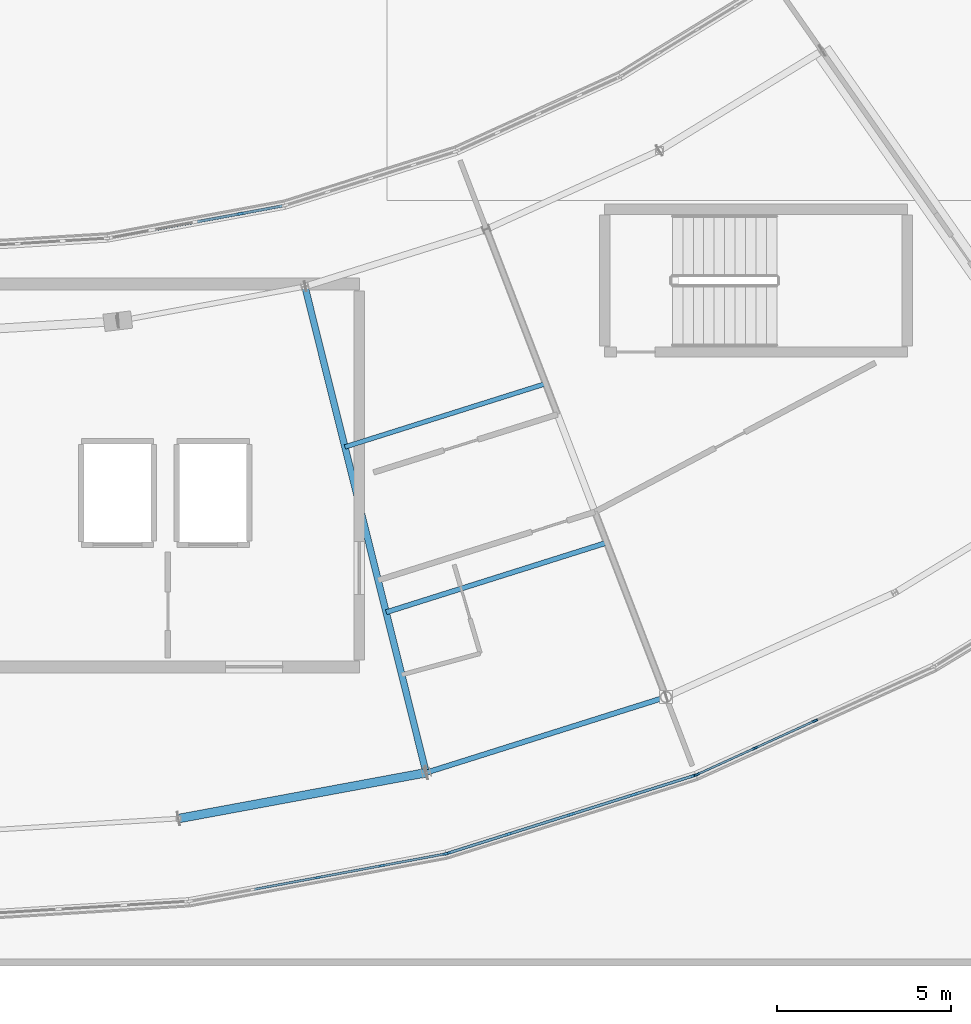
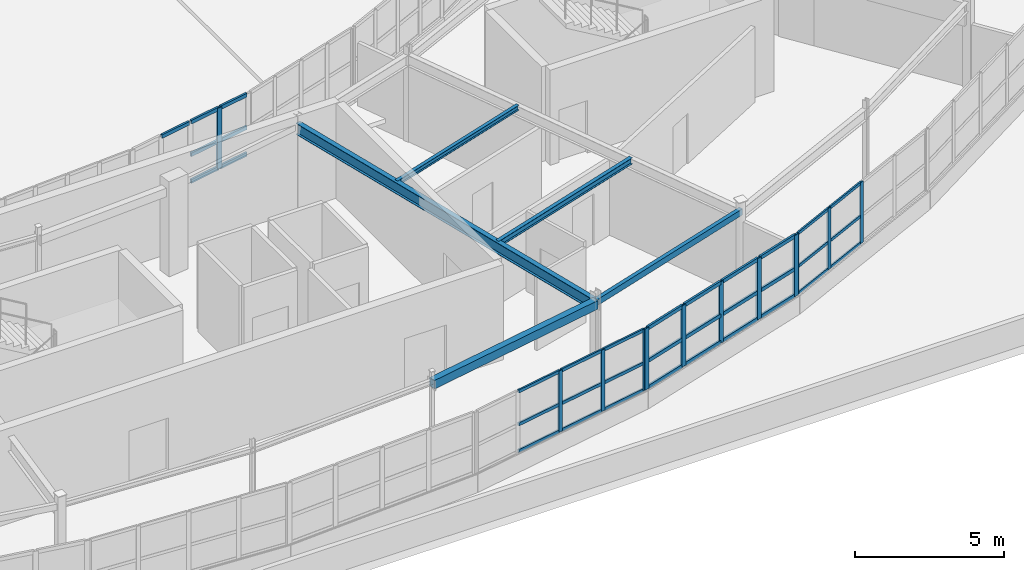
# One storey, part 33 of 128: 46 members, 5 beams, 4 elements without a shape of their own.
"""IFC4 building model written with IfcOpenShell, lengths in metres."""

from ifc_helpers import new_model, si_unit, direction, frame, origin, origin_2d, place, context, subcontext, project, spatial, rectangle, hollow_rectangle, i_section, extrude, material, layer, layer_set, material_profile, profile_set, type_object, element, aggregate, save


model = new_model("IFC4")

# Units and contexts
model_context = context("Model", 3, precision=1e-05, world=origin(), true_north=direction((0.0, 1.0)))
body_context = subcontext(model_context, "Body", "Model", "MODEL_VIEW")
ifc_project = project(units=[si_unit("LENGTHUNIT", "METRE"), si_unit("AREAUNIT", "SQUARE_METRE"), si_unit("VOLUMEUNIT", "CUBIC_METRE"), si_unit("PLANEANGLEUNIT", "RADIAN"), si_unit("MASSUNIT", "GRAM", prefix="KILO")], contexts=[model_context])

# Site, building, storey
site_placement = place(None, origin())
site = spatial("IfcSite", under=ifc_project, at=site_placement, CompositionType="ELEMENT")
building_placement = place(site_placement, origin())
building = spatial("IfcBuilding", under=site, at=building_placement, Name="Tarnwether General Hospital", CompositionType="ELEMENT")
storey_placement = place(building_placement, frame((0.0, 0.0, 14.39990234375)))
storey = spatial("IfcBuildingStorey", under=building, at=storey_placement, Name="L03", CompositionType="ELEMENT", Elevation=14.39990234375)

# Beams
ifc_material_1 = material(Name="Steel Grade 350 (350 MPa)", Category="steel")
ifc_material_profile_1 = material_profile(ifc_material_1, i_section(OverallWidth=0.19091796875, OverallDepth=0.4599609375, WebThickness=0.010009765625, FlangeThickness=0.01611328125, at=origin_2d()), Name="460UB82.1")
ifc_profile_set_1 = profile_set([ifc_material_profile_1], Name="Steel Grade 350 (350 MPa)")
beam_type_1 = type_object("IfcBeamType", Name="BM-G08", PredefinedType="BEAM", material=ifc_profile_set_1)
beam_1_placement = place(storey_placement, frame((106.322021484375, 5.55810546875, 3.330078125), z_axis=(-0.241941215118, 0.970290909175, 0.0), x_axis=(-0.970290909175, -0.241941215118, 0.0)))
element("IfcBeam", 1, at=beam_1_placement, inside=storey, type_object=beam_type_1, Name="Curved Ward SE Radial Girder BMG-L03-10632_556-10284_1953-2102", PredefinedType="BEAM", context=body_context, shape_type="SweptSolid", body=[
    extrude(i_section(OverallWidth=0.19091796875, OverallDepth=0.4599609375, WebThickness=0.010009765625, FlangeThickness=0.01611328125, at=origin_2d()), origin(), (0.0, 0.0, 1.0), 14.400634765625),
])
ifc_material_2 = material(Name="Steel Grade 350 (350 MPa)", Category="steel")
ifc_material_profile_2 = material_profile(ifc_material_2, i_section(OverallWidth=0.14599609375, OverallDepth=0.256103515625, WebThickness=0.00634765625, FlangeThickness=0.010986328125, at=origin_2d()), Name="250UB37.3")
ifc_profile_set_2 = profile_set([ifc_material_profile_2], Name="Steel Grade 350 (350 MPa)")
beam_type_2 = type_object("IfcBeamType", Name="BM-J09", PredefinedType="JOIST", material=ifc_profile_set_2)
beam_2_placement = place(storey_placement, frame((105.172119140625, 10.1689453125, 3.43212890625), z_axis=(0.953671429399, 0.300850136693, 0.0), x_axis=(-0.300850136693, 0.953671429399, 0.0)))
element("IfcBeam", 2, at=beam_2_placement, inside=storey, type_object=beam_type_2, Name="Curved Ward SE Chord Joist BMG-L03-10517_1017-11151_1217-2125", PredefinedType="JOIST", context=body_context, shape_type="SweptSolid", body=[
    extrude(i_section(OverallWidth=0.14599609375, OverallDepth=0.256103515625, WebThickness=0.00634765625, FlangeThickness=0.010986328125, at=origin_2d()), origin(), (0.0, 0.0, 1.0), 6.64794921875),
])
ifc_material_3 = material(Name="Steel Grade 350 (350 MPa)", Category="steel")
ifc_material_profile_3 = material_profile(ifc_material_3, i_section(OverallWidth=0.134033203125, OverallDepth=0.20703125, WebThickness=0.00634765625, FlangeThickness=0.009521484375, at=origin_2d()), Name="200UB29.8")
ifc_profile_set_3 = profile_set([ifc_material_profile_3], Name="Steel Grade 350 (350 MPa)")
beam_type_3 = type_object("IfcBeamType", Name="BM-J12", PredefinedType="JOIST", material=ifc_profile_set_3)
beam_3_placement = place(storey_placement, frame((103.988037109375, 14.919921875, 3.45654296875), z_axis=(0.953725879816, 0.300677478654, 0.0), x_axis=(-0.300677478654, 0.953725879816, 0.0)))
element("IfcBeam", 3, at=beam_3_placement, inside=storey, type_object=beam_type_3, Name="Curved Ward SE Chord Joist BMG-L03-10399_1492-10976_1674-2126", PredefinedType="JOIST", context=body_context, shape_type="SweptSolid", body=[
    extrude(i_section(OverallWidth=0.134033203125, OverallDepth=0.20703125, WebThickness=0.00634765625, FlangeThickness=0.009521484375, at=origin_2d()), origin(), (0.0, 0.0, 1.0), 6.050048828125),
])
ifc_material_4 = material(Name="Steel Grade C350L0 (350 MPa)", Category="steel")
ifc_material_profile_4 = material_profile(ifc_material_4, hollow_rectangle(XDim=0.25, YDim=0.35009765625, WallThickness=0.012451171875, at=origin_2d()), Name="RHS350x250x12.5")
ifc_profile_set_4 = profile_set([ifc_material_profile_4], Name="Steel Grade C350L0 (350 MPa)")
beam_type_4 = type_object("IfcBeamType", Name="BM-SP7", PredefinedType="SPANDREL", material=ifc_profile_set_4)
beam_4_placement = place(storey_placement, frame((99.215087890625, 4.240966796875, 3.385009765625), z_axis=(0.98325623662, 0.182228354399, 0.0), x_axis=(-0.182228354399, 0.98325623662, 0.0)))
element("IfcBeam", 4, at=beam_4_placement, inside=storey, type_object=beam_type_4, Name="Curved Ward SE Outer Spandrel BMG-L03-9922_424-10632_556-2121", PredefinedType="SPANDREL", context=body_context, shape_type="SweptSolid", body=[
    extrude(hollow_rectangle(XDim=0.25, YDim=0.35009765625, WallThickness=0.012451171875, at=origin_2d()), origin(), (0.0, 0.0, 1.0), 7.22802734375),
])
ifc_material_5 = material(Name="Steel Grade C350L0 (350 MPa)", Category="steel")
ifc_material_profile_5 = material_profile(ifc_material_5, hollow_rectangle(XDim=0.14990234375, YDim=0.25, WallThickness=0.008056640625, at=origin_2d()), Name="RHS250x150x8")
ifc_profile_set_5 = profile_set([ifc_material_profile_5], Name="Steel Grade C350L0 (350 MPa)")
beam_type_5 = type_object("IfcBeamType", Name="BM-SP8", PredefinedType="SPANDREL", material=ifc_profile_set_5)
beam_5_placement = place(storey_placement, frame((106.322021484375, 5.55810546875, 3.43505859375), z_axis=(0.953698988948, 0.300762761125, 0.0), x_axis=(-0.300762761125, 0.953698988948, 0.0)))
element("IfcBeam", 5, at=beam_5_placement, inside=storey, type_object=beam_type_5, Name="Curved Ward SE Outer Spandrel BMG-L03-10632_556-11322_773-2123", PredefinedType="SPANDREL", context=body_context, shape_type="SweptSolid", body=[
    extrude(hollow_rectangle(XDim=0.14990234375, YDim=0.25, WallThickness=0.008056640625, at=origin_2d()), origin(), (0.0, 0.0, 1.0), 7.227783203125),
])

# Curtain wall, members
ifc_material_6 = material(Name="Anodised aluminium", Category="aluminium")
ifc_layer_1 = layer(ifc_material_6, 0.179931640625)
ifc_layer_set_1 = layer_set([ifc_layer_1], Name="Anodised aluminium")
curtain_wall_type_1 = type_object("IfcCurtainWallType", Name="CW-08", PredefinedType="NOTDEFINED", material=ifc_layer_set_1)
curtain_wall_1_placement = place(storey_placement, origin())
curtain_wall_1 = element("IfcCurtainWall", 6, at=curtain_wall_1_placement, inside=storey, type_object=curtain_wall_type_1, Name="Curtain Wall CWG-L03-1209_86-0162", PredefinedType="NOTDEFINED")
ifc_material_7 = material(Name="Anodised aluminium", Category="aluminium")
ifc_material_profile_6 = material_profile(ifc_material_7, rectangle(XDim=0.06005859375, YDim=0.159912109375, at=origin_2d()), Name="ALU-MUL-60x160")
ifc_profile_set_6 = profile_set([ifc_material_profile_6], Name="Anodised aluminium")
member_type_1 = type_object("IfcMemberType", Name="CW-ML1", PredefinedType="MULLION", material=ifc_profile_set_6)
member_1_placement = place(storey_placement, frame((117.4970703125, 7.050537109375, 1.050048828125), z_axis=(0.0, 0.0, 1.0), x_axis=(0.414694289316, -0.909960793886, 0.0)))
member_1 = element("IfcMember", 7, at=member_1_placement, type_object=member_type_1, Name="CW-08 mullion 3", PredefinedType="MULLION", context=body_context, shape_type="SweptSolid", body=[
    extrude(rectangle(XDim=0.06005859375, YDim=0.159912109375, at=origin_2d()), origin(), (0.0, 0.0, 1.0), 2.510009765625),
])
member_2_placement = place(storey_placement, frame((115.785888671875, 6.270751953125, 1.050048828125), z_axis=(0.0, 0.0, 1.0), x_axis=(0.414694289316, -0.909960793886, 0.0)))
member_2 = element("IfcMember", 8, at=member_2_placement, type_object=member_type_1, Name="CW-08 mullion 4", PredefinedType="MULLION", context=body_context, shape_type="SweptSolid", body=[
    extrude(rectangle(XDim=0.06005859375, YDim=0.159912109375, at=origin_2d()), origin(), (0.0, 0.0, 1.0), 2.510009765625),
])
member_3_placement = place(storey_placement, frame((114.102294921875, 5.50341796875, 1.050048828125), z_axis=(0.0, 0.0, 1.0), x_axis=(0.414694289316, -0.909960793886, 0.0)))
member_3 = element("IfcMember", 9, at=member_3_placement, type_object=member_type_1, Name="CW-08 mullion 5", PredefinedType="MULLION", context=body_context, shape_type="SweptSolid", body=[
    extrude(rectangle(XDim=0.06005859375, YDim=0.159912109375, at=origin_2d()), origin(), (0.0, 0.0, 1.0), 2.510009765625),
])

curtain_wall_2_placement = place(storey_placement, origin())
curtain_wall_2 = element("IfcCurtainWall", 10, at=curtain_wall_2_placement, inside=storey, type_object=curtain_wall_type_1, Name="Curtain Wall CWG-L03-1069_32-0160", PredefinedType="NOTDEFINED")
ifc_material_8 = material(Name="Anodised aluminium", Category="aluminium")
ifc_material_profile_7 = material_profile(ifc_material_8, rectangle(XDim=0.06494140625, YDim=0.169921875, at=origin_2d()), Name="ALU-MUL-65x170")
ifc_profile_set_7 = profile_set([ifc_material_profile_7], Name="Anodised aluminium")
member_type_2 = type_object("IfcMemberType", Name="CW-ML3", PredefinedType="MULLION", material=ifc_profile_set_7)
member_4_placement = place(storey_placement, frame((106.8701171875, 3.22412109375, 1.050048828125), z_axis=(0.0, 0.0, 1.0), x_axis=(0.182289226614, -0.983244953132, 0.0)))
member_4 = element("IfcMember", 11, at=member_4_placement, type_object=member_type_2, Name="CW-08 mullion 1", PredefinedType="MULLION", context=body_context, shape_type="SweptSolid", body=[
    extrude(rectangle(XDim=0.06494140625, YDim=0.169921875, at=origin_2d()), origin(), (0.0, 0.0, 1.0), 2.510009765625),
])
member_5_placement = place(storey_placement, frame((105.05322265625, 2.88720703125, 1.050048828125), z_axis=(0.0, 0.0, 1.0), x_axis=(0.182289226614, -0.983244953132, 0.0)))
member_5 = element("IfcMember", 12, at=member_5_placement, type_object=member_type_2, Name="CW-08 mullion 2", PredefinedType="MULLION", context=body_context, shape_type="SweptSolid", body=[
    extrude(rectangle(XDim=0.06494140625, YDim=0.169921875, at=origin_2d()), origin(), (0.0, 0.0, 1.0), 2.510009765625),
])
member_6_placement = place(storey_placement, frame((103.20458984375, 2.54443359375, 1.050048828125), z_axis=(0.0, 0.0, 1.0), x_axis=(0.182289226614, -0.983244953132, 0.0)))
member_6 = element("IfcMember", 13, at=member_6_placement, type_object=member_type_2, Name="CW-08 mullion 3", PredefinedType="MULLION", context=body_context, shape_type="SweptSolid", body=[
    extrude(rectangle(XDim=0.06494140625, YDim=0.169921875, at=origin_2d()), origin(), (0.0, 0.0, 1.0), 2.510009765625),
])

curtain_wall_3_placement = place(storey_placement, origin())
curtain_wall_3 = element("IfcCurtainWall", 14, at=curtain_wall_3_placement, inside=storey, type_object=curtain_wall_type_1, Name="Curtain Wall CWG-L03-1141_55-0161", PredefinedType="NOTDEFINED")
ifc_material_9 = material(Name="Anodised aluminium", Category="aluminium")
ifc_material_profile_8 = material_profile(ifc_material_9, rectangle(XDim=0.080078125, YDim=0.199951171875, at=origin_2d()), Name="ALU-MUL-80x200")
ifc_profile_set_8 = profile_set([ifc_material_profile_8], Name="Anodised aluminium")
member_type_3 = type_object("IfcMemberType", Name="CW-ML4", PredefinedType="MULLION", material=ifc_profile_set_8)
member_7_placement = place(storey_placement, frame((114.036865234375, 5.47900390625, 1.050048828125), z_axis=(0.0, 0.0, 1.0), x_axis=(0.300628613299, -0.953741284032, 0.0)))
member_7 = element("IfcMember", 15, at=member_7_placement, type_object=member_type_3, Name="CW-08 mullion 1", PredefinedType="MULLION", context=body_context, shape_type="SweptSolid", body=[
    extrude(rectangle(XDim=0.080078125, YDim=0.199951171875, at=origin_2d()), origin(), (0.0, 0.0, 1.0), 2.510009765625),
])
member_8_placement = place(storey_placement, frame((112.28173828125, 4.92578125, 1.050048828125), z_axis=(0.0, 0.0, 1.0), x_axis=(0.300628613299, -0.953741284032, 0.0)))
member_8 = element("IfcMember", 16, at=member_8_placement, type_object=member_type_3, Name="CW-08 mullion 2", PredefinedType="MULLION", context=body_context, shape_type="SweptSolid", body=[
    extrude(rectangle(XDim=0.080078125, YDim=0.199951171875, at=origin_2d()), origin(), (0.0, 0.0, 1.0), 2.510009765625),
])
member_9_placement = place(storey_placement, frame((110.488525390625, 4.360595703125, 1.050048828125), z_axis=(0.0, 0.0, 1.0), x_axis=(0.300628613299, -0.953741284032, 0.0)))
member_9 = element("IfcMember", 17, at=member_9_placement, type_object=member_type_3, Name="CW-08 mullion 3", PredefinedType="MULLION", context=body_context, shape_type="SweptSolid", body=[
    extrude(rectangle(XDim=0.080078125, YDim=0.199951171875, at=origin_2d()), origin(), (0.0, 0.0, 1.0), 2.510009765625),
])
member_10_placement = place(storey_placement, frame((108.6953125, 3.795166015625, 1.050048828125), z_axis=(0.0, 0.0, 1.0), x_axis=(0.300628613299, -0.953741284032, 0.0)))
member_10 = element("IfcMember", 18, at=member_10_placement, type_object=member_type_3, Name="CW-08 mullion 4", PredefinedType="MULLION", context=body_context, shape_type="SweptSolid", body=[
    extrude(rectangle(XDim=0.080078125, YDim=0.199951171875, at=origin_2d()), origin(), (0.0, 0.0, 1.0), 2.510009765625),
])
member_11_placement = place(storey_placement, frame((106.940185546875, 3.241943359375, 1.050048828125), z_axis=(0.0, 0.0, 1.0), x_axis=(0.300628613299, -0.953741284032, 0.0)))
member_11 = element("IfcMember", 19, at=member_11_placement, type_object=member_type_3, Name="CW-08 mullion 5", PredefinedType="MULLION", context=body_context, shape_type="SweptSolid", body=[
    extrude(rectangle(XDim=0.080078125, YDim=0.199951171875, at=origin_2d()), origin(), (0.0, 0.0, 1.0), 2.510009765625),
])

# Curtain wall, member
ifc_material_10 = material(Name="Anodised aluminium", Category="aluminium")
ifc_layer_2 = layer(ifc_material_10, 0.159912109375)
ifc_layer_set_2 = layer_set([ifc_layer_2], Name="Anodised aluminium")
curtain_wall_type_2 = type_object("IfcCurtainWallType", Name="CW-04", PredefinedType="NOTDEFINED", material=ifc_layer_set_2)
curtain_wall_4_placement = place(storey_placement, origin())
curtain_wall_4 = element("IfcCurtainWall", 20, at=curtain_wall_4_placement, inside=storey, type_object=curtain_wall_type_2, Name="Curtain Wall CWG-L03-972_209-0173", PredefinedType="NOTDEFINED")
member_12_placement = place(storey_placement, frame((100.984619140625, 21.623291015625, 1.050048828125), z_axis=(0.0, 0.0, 1.0), x_axis=(-0.182165351666, 0.983267910924, 0.0)))
member_12 = element("IfcMember", 21, at=member_12_placement, type_object=member_type_3, Name="CW-04 mullion 4", PredefinedType="MULLION", context=body_context, shape_type="SweptSolid", body=[
    extrude(rectangle(XDim=0.080078125, YDim=0.199951171875, at=origin_2d()), origin(), (0.0, 0.0, 1.0), 2.510009765625),
])

# Member
ifc_material_11 = material(Name="Anodised aluminium", Category="aluminium")
ifc_material_profile_9 = material_profile(ifc_material_11, rectangle(XDim=0.06005859375, YDim=0.1201171875, at=origin_2d()), Name="ALU-TRN-60x120")
ifc_profile_set_9 = profile_set([ifc_material_profile_9], Name="Anodised aluminium")
member_type_4 = type_object("IfcMemberType", Name="CW-TR1", PredefinedType="USERDEFINED", material=ifc_profile_set_9)
member_13_placement = place(storey_placement, frame((117.4697265625, 7.0380859375, 1.080078125), z_axis=(-0.909966465477, -0.414681843958, 0.0), x_axis=(0.414681843958, -0.909966465477, 0.0)))
member_13 = element("IfcMember", 22, at=member_13_placement, type_object=member_type_4, Name="CW-08 transom 3.1", ObjectType="TRANSOM", PredefinedType="USERDEFINED", context=body_context, shape_type="SweptSolid", body=[
    extrude(rectangle(XDim=0.06005859375, YDim=0.1201171875, at=origin_2d()), origin(), (0.0, 0.0, 1.0), 1.8203125),
])

member_14_placement = place(storey_placement, frame((117.4697265625, 7.0380859375, 2.1796875), z_axis=(-0.909966465477, -0.414681843958, 0.0), x_axis=(0.414681843958, -0.909966465477, 0.0)))
member_14 = element("IfcMember", 23, at=member_14_placement, type_object=member_type_4, Name="CW-08 transom 3.2", ObjectType="TRANSOM", PredefinedType="USERDEFINED", context=body_context, shape_type="SweptSolid", body=[
    extrude(rectangle(XDim=0.06005859375, YDim=0.1201171875, at=origin_2d()), origin(), (0.0, 0.0, 1.0), 1.8203125),
])

member_15_placement = place(storey_placement, frame((117.4697265625, 7.0380859375, 3.530029296875), z_axis=(-0.909966465477, -0.414681843958, 0.0), x_axis=(0.414681843958, -0.909966465477, 0.0)))
member_15 = element("IfcMember", 24, at=member_15_placement, type_object=member_type_4, Name="CW-08 transom 3.3", ObjectType="TRANSOM", PredefinedType="USERDEFINED", context=body_context, shape_type="SweptSolid", body=[
    extrude(rectangle(XDim=0.06005859375, YDim=0.1201171875, at=origin_2d()), origin(), (0.0, 0.0, 1.0), 1.8203125),
])

member_16_placement = place(storey_placement, frame((115.7587890625, 6.25830078125, 1.080078125), z_axis=(-0.909964425391, -0.414686320637, 0.0), x_axis=(0.414686320637, -0.909964425391, 0.0)))
member_16 = element("IfcMember", 25, at=member_16_placement, type_object=member_type_4, Name="CW-08 transom 4.1", ObjectType="TRANSOM", PredefinedType="USERDEFINED", context=body_context, shape_type="SweptSolid", body=[
    extrude(rectangle(XDim=0.06005859375, YDim=0.1201171875, at=origin_2d()), origin(), (0.0, 0.0, 1.0), 1.790283203125),
])

member_17_placement = place(storey_placement, frame((115.7587890625, 6.25830078125, 2.1796875), z_axis=(-0.909964425391, -0.414686320637, 0.0), x_axis=(0.414686320637, -0.909964425391, 0.0)))
member_17 = element("IfcMember", 26, at=member_17_placement, type_object=member_type_4, Name="CW-08 transom 4.2", ObjectType="TRANSOM", PredefinedType="USERDEFINED", context=body_context, shape_type="SweptSolid", body=[
    extrude(rectangle(XDim=0.06005859375, YDim=0.1201171875, at=origin_2d()), origin(), (0.0, 0.0, 1.0), 1.790283203125),
])

member_18_placement = place(storey_placement, frame((115.7587890625, 6.25830078125, 3.530029296875), z_axis=(-0.909964425391, -0.414686320637, 0.0), x_axis=(0.414686320637, -0.909964425391, 0.0)))
member_18 = element("IfcMember", 27, at=member_18_placement, type_object=member_type_4, Name="CW-08 transom 4.3", ObjectType="TRANSOM", PredefinedType="USERDEFINED", context=body_context, shape_type="SweptSolid", body=[
    extrude(rectangle(XDim=0.06005859375, YDim=0.1201171875, at=origin_2d()), origin(), (0.0, 0.0, 1.0), 1.790283203125),
])

aggregate(curtain_wall_1, [member_1, member_2, member_3, member_13, member_14, member_15, member_16, member_17, member_18])

ifc_material_12 = material(Name="Anodised aluminium", Category="aluminium")
ifc_material_profile_10 = material_profile(ifc_material_12, rectangle(XDim=0.06494140625, YDim=0.1298828125, at=origin_2d()), Name="ALU-TRN-65x130")
ifc_profile_set_10 = profile_set([ifc_material_profile_10], Name="Anodised aluminium")
member_type_5 = type_object("IfcMemberType", Name="CW-TR3", PredefinedType="USERDEFINED", material=ifc_profile_set_10)
member_19_placement = place(storey_placement, frame((106.838134765625, 3.21826171875, 1.08251953125), z_axis=(-0.983223837446, -0.182403085164, 0.0), x_axis=(0.182403085164, -0.983223837446, 0.0)))
member_19 = element("IfcMember", 28, at=member_19_placement, type_object=member_type_5, Name="CW-08 transom 1.1", ObjectType="TRANSOM", PredefinedType="USERDEFINED", context=body_context, shape_type="SweptSolid", body=[
    extrude(rectangle(XDim=0.06494140625, YDim=0.1298828125, at=origin_2d()), origin(), (0.0, 0.0, 1.0), 1.782958984375),
])

member_20_placement = place(storey_placement, frame((106.838134765625, 3.21826171875, 2.1796875), z_axis=(-0.983223837446, -0.182403085164, 0.0), x_axis=(0.182403085164, -0.983223837446, 0.0)))
member_20 = element("IfcMember", 29, at=member_20_placement, type_object=member_type_5, Name="CW-08 transom 1.2", ObjectType="TRANSOM", PredefinedType="USERDEFINED", context=body_context, shape_type="SweptSolid", body=[
    extrude(rectangle(XDim=0.06494140625, YDim=0.1298828125, at=origin_2d()), origin(), (0.0, 0.0, 1.0), 1.782958984375),
])

member_21_placement = place(storey_placement, frame((106.838134765625, 3.21826171875, 3.527587890625), z_axis=(-0.983223837446, -0.182403085164, 0.0), x_axis=(0.182403085164, -0.983223837446, 0.0)))
member_21 = element("IfcMember", 30, at=member_21_placement, type_object=member_type_5, Name="CW-08 transom 1.3", ObjectType="TRANSOM", PredefinedType="USERDEFINED", context=body_context, shape_type="SweptSolid", body=[
    extrude(rectangle(XDim=0.06494140625, YDim=0.1298828125, at=origin_2d()), origin(), (0.0, 0.0, 1.0), 1.782958984375),
])

member_22_placement = place(storey_placement, frame((105.021240234375, 2.88134765625, 1.08251953125), z_axis=(-0.983250771919, -0.182257838023, 0.0), x_axis=(0.182257838023, -0.983250771919, 0.0)))
member_22 = element("IfcMember", 31, at=member_22_placement, type_object=member_type_5, Name="CW-08 transom 2.1", ObjectType="TRANSOM", PredefinedType="USERDEFINED", context=body_context, shape_type="SweptSolid", body=[
    extrude(rectangle(XDim=0.06494140625, YDim=0.1298828125, at=origin_2d()), origin(), (0.0, 0.0, 1.0), 1.815185546875),
])

member_23_placement = place(storey_placement, frame((105.021240234375, 2.88134765625, 2.1796875), z_axis=(-0.983250771919, -0.182257838023, 0.0), x_axis=(0.182257838023, -0.983250771919, 0.0)))
member_23 = element("IfcMember", 32, at=member_23_placement, type_object=member_type_5, Name="CW-08 transom 2.2", ObjectType="TRANSOM", PredefinedType="USERDEFINED", context=body_context, shape_type="SweptSolid", body=[
    extrude(rectangle(XDim=0.06494140625, YDim=0.1298828125, at=origin_2d()), origin(), (0.0, 0.0, 1.0), 1.815185546875),
])

member_24_placement = place(storey_placement, frame((105.021240234375, 2.88134765625, 3.527587890625), z_axis=(-0.983250771919, -0.182257838023, 0.0), x_axis=(0.182257838023, -0.983250771919, 0.0)))
member_24 = element("IfcMember", 33, at=member_24_placement, type_object=member_type_5, Name="CW-08 transom 2.3", ObjectType="TRANSOM", PredefinedType="USERDEFINED", context=body_context, shape_type="SweptSolid", body=[
    extrude(rectangle(XDim=0.06494140625, YDim=0.1298828125, at=origin_2d()), origin(), (0.0, 0.0, 1.0), 1.815185546875),
])

member_25_placement = place(storey_placement, frame((103.172607421875, 2.53857421875, 1.08251953125), z_axis=(-0.983255239096, -0.182233736695, 0.0), x_axis=(0.182233736695, -0.983255239096, 0.0)))
member_25 = element("IfcMember", 34, at=member_25_placement, type_object=member_type_5, Name="CW-08 transom 3.1", ObjectType="TRANSOM", PredefinedType="USERDEFINED", context=body_context, shape_type="SweptSolid", body=[
    extrude(rectangle(XDim=0.06494140625, YDim=0.1298828125, at=origin_2d()), origin(), (0.0, 0.0, 1.0), 1.8154296875),
])

member_26_placement = place(storey_placement, frame((103.172607421875, 2.53857421875, 2.1796875), z_axis=(-0.983255239096, -0.182233736695, 0.0), x_axis=(0.182233736695, -0.983255239096, 0.0)))
member_26 = element("IfcMember", 35, at=member_26_placement, type_object=member_type_5, Name="CW-08 transom 3.2", ObjectType="TRANSOM", PredefinedType="USERDEFINED", context=body_context, shape_type="SweptSolid", body=[
    extrude(rectangle(XDim=0.06494140625, YDim=0.1298828125, at=origin_2d()), origin(), (0.0, 0.0, 1.0), 1.8154296875),
])

member_27_placement = place(storey_placement, frame((103.172607421875, 2.53857421875, 3.527587890625), z_axis=(-0.983255239096, -0.182233736695, 0.0), x_axis=(0.182233736695, -0.983255239096, 0.0)))
member_27 = element("IfcMember", 36, at=member_27_placement, type_object=member_type_5, Name="CW-08 transom 3.3", ObjectType="TRANSOM", PredefinedType="USERDEFINED", context=body_context, shape_type="SweptSolid", body=[
    extrude(rectangle(XDim=0.06494140625, YDim=0.1298828125, at=origin_2d()), origin(), (0.0, 0.0, 1.0), 1.8154296875),
])

aggregate(curtain_wall_2, [member_4, member_5, member_6, member_19, member_20, member_21, member_22, member_23, member_24, member_25, member_26, member_27])

ifc_material_13 = material(Name="Anodised aluminium", Category="aluminium")
ifc_material_profile_11 = material_profile(ifc_material_13, rectangle(XDim=0.080078125, YDim=0.14990234375, at=origin_2d()), Name="ALU-TRN-80x150")
ifc_profile_set_11 = profile_set([ifc_material_profile_11], Name="Anodised aluminium")
member_type_6 = type_object("IfcMemberType", Name="CW-TR4", PredefinedType="USERDEFINED", material=ifc_profile_set_11)
member_28_placement = place(storey_placement, frame((113.998779296875, 5.467041015625, 1.090087890625), z_axis=(-0.953729270447, -0.300666723619, 0.0), x_axis=(0.300666723619, -0.953729270447, 0.0)))
member_28 = element("IfcMember", 37, at=member_28_placement, type_object=member_type_6, Name="CW-08 transom 1.1", ObjectType="TRANSOM", PredefinedType="USERDEFINED", context=body_context, shape_type="SweptSolid", body=[
    extrude(rectangle(XDim=0.080078125, YDim=0.14990234375, at=origin_2d()), origin(), (0.0, 0.0, 1.0), 1.760498046875),
])

member_29_placement = place(storey_placement, frame((113.998779296875, 5.467041015625, 2.1796875), z_axis=(-0.953729270447, -0.300666723619, 0.0), x_axis=(0.300666723619, -0.953729270447, 0.0)))
member_29 = element("IfcMember", 38, at=member_29_placement, type_object=member_type_6, Name="CW-08 transom 1.2", ObjectType="TRANSOM", PredefinedType="USERDEFINED", context=body_context, shape_type="SweptSolid", body=[
    extrude(rectangle(XDim=0.080078125, YDim=0.14990234375, at=origin_2d()), origin(), (0.0, 0.0, 1.0), 1.760498046875),
])

member_30_placement = place(storey_placement, frame((113.998779296875, 5.467041015625, 3.52001953125), z_axis=(-0.953729270447, -0.300666723619, 0.0), x_axis=(0.300666723619, -0.953729270447, 0.0)))
member_30 = element("IfcMember", 39, at=member_30_placement, type_object=member_type_6, Name="CW-08 transom 1.3", ObjectType="TRANSOM", PredefinedType="USERDEFINED", context=body_context, shape_type="SweptSolid", body=[
    extrude(rectangle(XDim=0.080078125, YDim=0.14990234375, at=origin_2d()), origin(), (0.0, 0.0, 1.0), 1.760498046875),
])

member_31_placement = place(storey_placement, frame((112.24365234375, 4.913818359375, 1.090087890625), z_axis=(-0.953736253577, -0.300644571901, 0.0), x_axis=(0.300644571901, -0.953736253577, 0.0)))
member_31 = element("IfcMember", 40, at=member_31_placement, type_object=member_type_6, Name="CW-08 transom 2.1", ObjectType="TRANSOM", PredefinedType="USERDEFINED", context=body_context, shape_type="SweptSolid", body=[
    extrude(rectangle(XDim=0.080078125, YDim=0.14990234375, at=origin_2d()), origin(), (0.0, 0.0, 1.0), 1.80029296875),
])

member_32_placement = place(storey_placement, frame((112.24365234375, 4.913818359375, 2.1796875), z_axis=(-0.953736253577, -0.300644571901, 0.0), x_axis=(0.300644571901, -0.953736253577, 0.0)))
member_32 = element("IfcMember", 41, at=member_32_placement, type_object=member_type_6, Name="CW-08 transom 2.2", ObjectType="TRANSOM", PredefinedType="USERDEFINED", context=body_context, shape_type="SweptSolid", body=[
    extrude(rectangle(XDim=0.080078125, YDim=0.14990234375, at=origin_2d()), origin(), (0.0, 0.0, 1.0), 1.80029296875),
])

member_33_placement = place(storey_placement, frame((112.24365234375, 4.913818359375, 3.52001953125), z_axis=(-0.953736253577, -0.300644571901, 0.0), x_axis=(0.300644571901, -0.953736253577, 0.0)))
member_33 = element("IfcMember", 42, at=member_33_placement, type_object=member_type_6, Name="CW-08 transom 2.3", ObjectType="TRANSOM", PredefinedType="USERDEFINED", context=body_context, shape_type="SweptSolid", body=[
    extrude(rectangle(XDim=0.080078125, YDim=0.14990234375, at=origin_2d()), origin(), (0.0, 0.0, 1.0), 1.80029296875),
])

member_34_placement = place(storey_placement, frame((110.450439453125, 4.348388671875, 1.090087890625), z_axis=(-0.953775131041, -0.300521212909, 0.0), x_axis=(0.300521212909, -0.953775131041, 0.0)))
member_34 = element("IfcMember", 43, at=member_34_placement, type_object=member_type_6, Name="CW-08 transom 3.1", ObjectType="TRANSOM", PredefinedType="USERDEFINED", context=body_context, shape_type="SweptSolid", body=[
    extrude(rectangle(XDim=0.080078125, YDim=0.14990234375, at=origin_2d()), origin(), (0.0, 0.0, 1.0), 1.80029296875),
])

member_35_placement = place(storey_placement, frame((110.450439453125, 4.348388671875, 2.1796875), z_axis=(-0.953775131041, -0.300521212909, 0.0), x_axis=(0.300521212909, -0.953775131041, 0.0)))
member_35 = element("IfcMember", 44, at=member_35_placement, type_object=member_type_6, Name="CW-08 transom 3.2", ObjectType="TRANSOM", PredefinedType="USERDEFINED", context=body_context, shape_type="SweptSolid", body=[
    extrude(rectangle(XDim=0.080078125, YDim=0.14990234375, at=origin_2d()), origin(), (0.0, 0.0, 1.0), 1.80029296875),
])

member_36_placement = place(storey_placement, frame((110.450439453125, 4.348388671875, 3.52001953125), z_axis=(-0.953775131041, -0.300521212909, 0.0), x_axis=(0.300521212909, -0.953775131041, 0.0)))
member_36 = element("IfcMember", 45, at=member_36_placement, type_object=member_type_6, Name="CW-08 transom 3.3", ObjectType="TRANSOM", PredefinedType="USERDEFINED", context=body_context, shape_type="SweptSolid", body=[
    extrude(rectangle(XDim=0.080078125, YDim=0.14990234375, at=origin_2d()), origin(), (0.0, 0.0, 1.0), 1.80029296875),
])

member_37_placement = place(storey_placement, frame((108.656982421875, 3.783203125, 1.090087890625), z_axis=(-0.953756502438, -0.300580328793, 0.0), x_axis=(0.300580328793, -0.953756502438, 0.0)))
member_37 = element("IfcMember", 46, at=member_37_placement, type_object=member_type_6, Name="CW-08 transom 4.1", ObjectType="TRANSOM", PredefinedType="USERDEFINED", context=body_context, shape_type="SweptSolid", body=[
    extrude(rectangle(XDim=0.080078125, YDim=0.14990234375, at=origin_2d()), origin(), (0.0, 0.0, 1.0), 1.760009765625),
])

member_38_placement = place(storey_placement, frame((108.656982421875, 3.783203125, 2.1796875), z_axis=(-0.953756502438, -0.300580328793, 0.0), x_axis=(0.300580328793, -0.953756502438, 0.0)))
member_38 = element("IfcMember", 47, at=member_38_placement, type_object=member_type_6, Name="CW-08 transom 4.2", ObjectType="TRANSOM", PredefinedType="USERDEFINED", context=body_context, shape_type="SweptSolid", body=[
    extrude(rectangle(XDim=0.080078125, YDim=0.14990234375, at=origin_2d()), origin(), (0.0, 0.0, 1.0), 1.760009765625),
])

member_39_placement = place(storey_placement, frame((108.656982421875, 3.783203125, 3.52001953125), z_axis=(-0.953756502438, -0.300580328793, 0.0), x_axis=(0.300580328793, -0.953756502438, 0.0)))
member_39 = element("IfcMember", 48, at=member_39_placement, type_object=member_type_6, Name="CW-08 transom 4.3", ObjectType="TRANSOM", PredefinedType="USERDEFINED", context=body_context, shape_type="SweptSolid", body=[
    extrude(rectangle(XDim=0.080078125, YDim=0.14990234375, at=origin_2d()), origin(), (0.0, 0.0, 1.0), 1.760009765625),
])

aggregate(curtain_wall_3, [member_7, member_8, member_9, member_10, member_11, member_28, member_29, member_30, member_31, member_32, member_33, member_34, member_35, member_36, member_37, member_38, member_39])

member_40_placement = place(storey_placement, frame((98.478759765625, 21.158935546875, 3.52001953125), z_axis=(0.983266000374, 0.182175663873, 0.0), x_axis=(-0.182175663873, 0.983266000374, 0.0)))
member_40 = element("IfcMember", 49, at=member_40_placement, type_object=member_type_6, Name="CW-04 transom 2.3", ObjectType="TRANSOM", PredefinedType="USERDEFINED", context=body_context, shape_type="SweptSolid", body=[
    extrude(rectangle(XDim=0.080078125, YDim=0.14990234375, at=origin_2d()), origin(), (0.0, 0.0, 1.0), 1.214111328125),
])

member_41_placement = place(storey_placement, frame((99.751220703125, 21.394775390625, 1.090087890625), z_axis=(0.983266000374, 0.182175663873, 0.0), x_axis=(-0.182175663873, 0.983266000374, 0.0)))
member_41 = element("IfcMember", 50, at=member_41_placement, type_object=member_type_6, Name="CW-04 transom 3.1", ObjectType="TRANSOM", PredefinedType="USERDEFINED", context=body_context, shape_type="SweptSolid", body=[
    extrude(rectangle(XDim=0.080078125, YDim=0.14990234375, at=origin_2d()), origin(), (0.0, 0.0, 1.0), 1.214111328125),
])

member_42_placement = place(storey_placement, frame((99.751220703125, 21.394775390625, 2.1796875), z_axis=(0.983266000374, 0.182175663873, 0.0), x_axis=(-0.182175663873, 0.983266000374, 0.0)))
member_42 = element("IfcMember", 51, at=member_42_placement, type_object=member_type_6, Name="CW-04 transom 3.2", ObjectType="TRANSOM", PredefinedType="USERDEFINED", context=body_context, shape_type="SweptSolid", body=[
    extrude(rectangle(XDim=0.080078125, YDim=0.14990234375, at=origin_2d()), origin(), (0.0, 0.0, 1.0), 1.214111328125),
])

member_43_placement = place(storey_placement, frame((99.751220703125, 21.394775390625, 3.52001953125), z_axis=(0.983266000374, 0.182175663873, 0.0), x_axis=(-0.182175663873, 0.983266000374, 0.0)))
member_43 = element("IfcMember", 52, at=member_43_placement, type_object=member_type_6, Name="CW-04 transom 3.3", ObjectType="TRANSOM", PredefinedType="USERDEFINED", context=body_context, shape_type="SweptSolid", body=[
    extrude(rectangle(XDim=0.080078125, YDim=0.14990234375, at=origin_2d()), origin(), (0.0, 0.0, 1.0), 1.214111328125),
])

member_44_placement = place(storey_placement, frame((101.02392578125, 21.630615234375, 1.090087890625), z_axis=(0.983265451868, 0.182178624331, 0.0), x_axis=(-0.182178624331, 0.983265451868, 0.0)))
member_44 = element("IfcMember", 53, at=member_44_placement, type_object=member_type_6, Name="CW-04 transom 4.1", ObjectType="TRANSOM", PredefinedType="USERDEFINED", context=body_context, shape_type="SweptSolid", body=[
    extrude(rectangle(XDim=0.080078125, YDim=0.14990234375, at=origin_2d()), origin(), (0.0, 0.0, 1.0), 1.173828125),
])

member_45_placement = place(storey_placement, frame((101.02392578125, 21.630615234375, 2.1796875), z_axis=(0.983265451868, 0.182178624331, 0.0), x_axis=(-0.182178624331, 0.983265451868, 0.0)))
member_45 = element("IfcMember", 54, at=member_45_placement, type_object=member_type_6, Name="CW-04 transom 4.2", ObjectType="TRANSOM", PredefinedType="USERDEFINED", context=body_context, shape_type="SweptSolid", body=[
    extrude(rectangle(XDim=0.080078125, YDim=0.14990234375, at=origin_2d()), origin(), (0.0, 0.0, 1.0), 1.173828125),
])

member_46_placement = place(storey_placement, frame((101.02392578125, 21.630615234375, 3.52001953125), z_axis=(0.983265451868, 0.182178624331, 0.0), x_axis=(-0.182178624331, 0.983265451868, 0.0)))
member_46 = element("IfcMember", 55, at=member_46_placement, type_object=member_type_6, Name="CW-04 transom 4.3", ObjectType="TRANSOM", PredefinedType="USERDEFINED", context=body_context, shape_type="SweptSolid", body=[
    extrude(rectangle(XDim=0.080078125, YDim=0.14990234375, at=origin_2d()), origin(), (0.0, 0.0, 1.0), 1.173828125),
])

aggregate(curtain_wall_4, [member_12, member_40, member_41, member_42, member_43, member_44, member_45, member_46])

save(model, "model.ifc")
